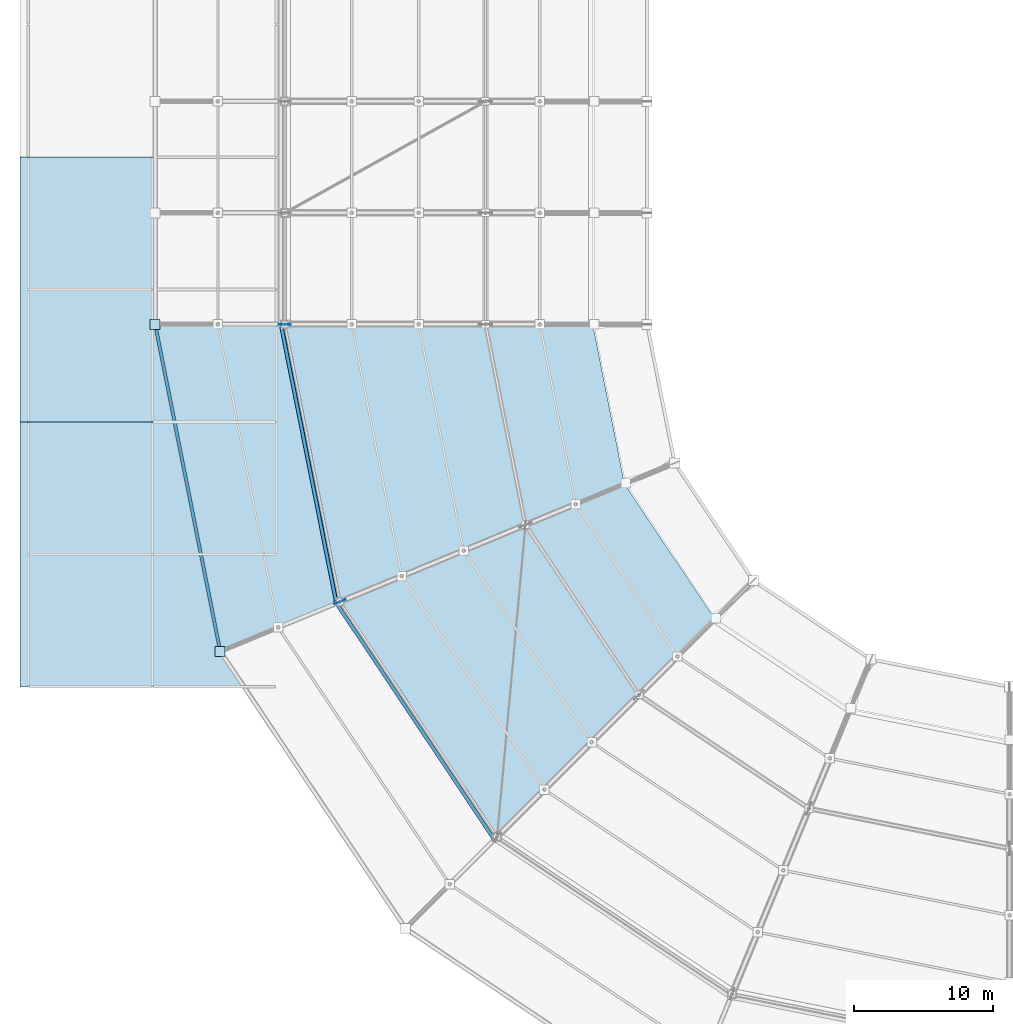
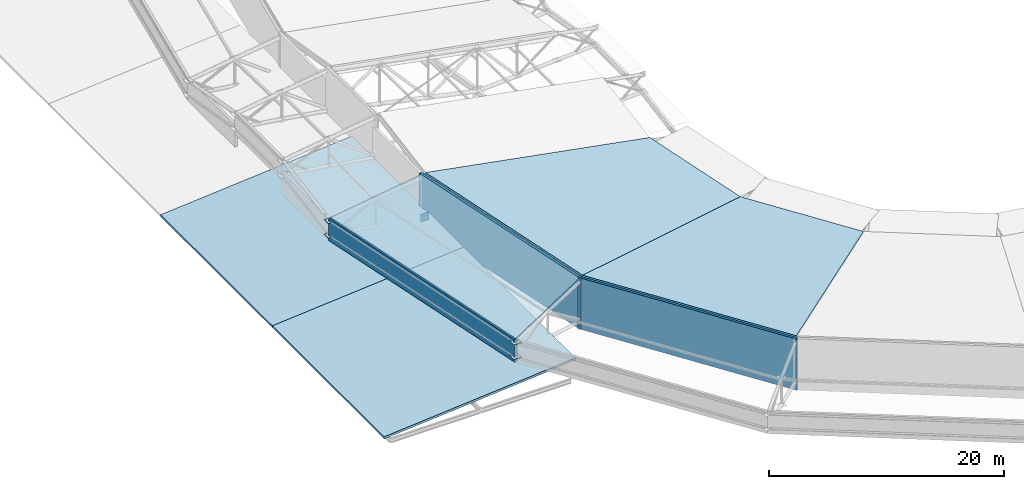
# One storey, part 104 of 146: 9 plates, 5 slabs.
"""IFC4 building model written with IfcOpenShell, lengths in metres."""

from ifc_helpers import new_model, si_unit, direction, frame, origin, origin_2d, place, context, subcontext, project, spatial, polyline, rectangle, outline, extrude, material, layer, layer_set, type_object, element, save


model = new_model("IFC4")

# Units and contexts
model_context = context("Model", 3, precision=1e-05, world=origin(), true_north=direction((0.0, 1.0)))
body_context = subcontext(model_context, "Body", "Model", "MODEL_VIEW")
ifc_project = project(units=[si_unit("LENGTHUNIT", "METRE"), si_unit("AREAUNIT", "SQUARE_METRE"), si_unit("VOLUMEUNIT", "CUBIC_METRE"), si_unit("PLANEANGLEUNIT", "RADIAN"), si_unit("MASSUNIT", "GRAM", prefix="KILO")], contexts=[model_context])

# Site, building, storey
site_placement = place(None, origin())
site = spatial("IfcSite", under=ifc_project, at=site_placement, CompositionType="ELEMENT")
building_placement = place(site_placement, origin())
building = spatial("IfcBuilding", under=site, at=building_placement, Name="Candeia Ridge Stadium", CompositionType="ELEMENT")
storey_placement = place(building_placement, frame((0.0, 0.0, 31.800048828125)))
storey = spatial("IfcBuildingStorey", under=building, at=storey_placement, Name="RF", CompositionType="ELEMENT", Elevation=31.800048828125)

# Plates
ifc_material_1 = material(Name="Aluminium Anodized Warm Bronze", Category="aluminium")
ifc_layer_1 = layer(ifc_material_1, 0.239990234375, Name="Aluminium Anodized Warm Bronze", Category="aluminium")
ifc_layer_set_1 = layer_set([ifc_layer_1], Name="Aluminium Anodized Warm Bronze")
plate_type_1 = type_object("IfcPlateType", Name="Crown Perforated Bronze Acoustic Screen", PredefinedType="SHEET", material=ifc_layer_set_1)
plate_1_placement = place(storey_placement, frame((20.709716796875, 60.99658203125, -0.3251953125), z_axis=(0.0, 0.0, 1.0), x_axis=(0.195090318644, -0.980785281074, 0.0)))
element("IfcPlate", 1, at=plate_1_placement, inside=storey, type_object=plate_type_1, Name="Crown perforated bronze acoustic screen RF bay 15", PredefinedType="SHEET", context=body_context, shape_type="SweptSolid", body=[
    extrude(rectangle(XDim=20.798583984375, YDim=0.239990234375, at=origin_2d()), origin(), (0.0, 0.0, 1.0), 5.330078125),
])
plate_2_placement = place(storey_placement, frame((12.033203125, 59.270751953125, 1.25), z_axis=(0.0, 0.0, 1.0), x_axis=(0.195090339048, -0.980785277015, 0.0)))
element("IfcPlate", 2, at=plate_2_placement, inside=storey, type_object=plate_type_1, Name="Saddle roof outer eaves warm-bronze fascia bay 15", PredefinedType="SHEET", context=body_context, shape_type="SweptSolid", body=[
    extrude(rectangle(XDim=23.97802734375, YDim=0.239990234375, at=origin_2d()), origin(), (0.0, 0.0, 1.0), 2.300048828125),
])
plate_3_placement = place(storey_placement, frame((28.365966796875, 42.512939453125, -0.3251953125), z_axis=(0.0, 0.0, 1.0), x_axis=(0.555570210802, -0.831469627148, 0.0)))
element("IfcPlate", 3, at=plate_3_placement, inside=storey, type_object=plate_type_1, Name="Crown perforated bronze acoustic screen RF bay 16", PredefinedType="SHEET", context=body_context, shape_type="SweptSolid", body=[
    extrude(rectangle(XDim=20.798583984375, YDim=0.239990234375, at=origin_2d()), origin(), (0.0, 0.0, 1.0), 5.330078125),
])
ifc_material_2 = material(Name="Steel ASTM A572 Grade 50", Category="steel")
ifc_layer_2 = layer(ifc_material_2, 0.02490234375, Name="Steel ASTM A572 Grade 50", Category="steel")
ifc_layer_set_2 = layer_set([ifc_layer_2], Name="Steel ASTM A572 Grade 50")
plate_type_2 = type_object("IfcPlateType", Name="Hollow Section End Closure Plate CP2", PredefinedType="SHEET", material=ifc_layer_set_2)
for number, where, z_axis, x_axis, name in (
    (4, (9.699951171875, 71.0, 3.2685546875), (0.0, 0.0, 1.0), (1.0, 0.0, 0.0), "Hollow section end closure plate TCAP-EAVE-14"),
    (5, (9.699951171875, 71.0, 1.7685546875), (0.0, 0.0, 1.0), (1.0, 0.0, 0.0), "Hollow section end closure plate BCAP-EAVE-14"),
    (6, (14.3662109375, 47.54150390625, 3.2685546875), (0.0, 0.0, 1.0), (1.0, 0.0, 0.0), "Hollow section end closure plate TCAP-EAVE-15"),
    (7, (14.3662109375, 47.54150390625, 1.7685546875), (0.0, 0.0, 1.0), (1.0, 0.0, 0.0), "Hollow section end closure plate BCAP-EAVE-15"),
):
    element("IfcPlate", number, at=place(storey_placement, frame(where, z_axis=z_axis, x_axis=x_axis)), inside=storey, type_object=plate_type_2, Name=name, PredefinedType="SHEET", context=body_context, shape_type="SweptSolid", body=[
        extrude(rectangle(XDim=0.719970703125, YDim=0.719970703125, at=origin_2d()), origin(), (0.0, 0.0, 1.0), 0.02490234375),
    ])
ifc_layer_3 = layer(ifc_material_2, 0.028076171875, Name="Steel ASTM A572 Grade 50", Category="steel")
ifc_layer_set_3 = layer_set([ifc_layer_3], Name="Steel ASTM A572 Grade 50")
plate_type_3 = type_object("IfcPlateType", Name="Roof Truss Outer Tie Node Gusset ND-2", PredefinedType="USERDEFINED", material=ifc_layer_set_3)
for number, where, z_axis, x_axis, name in (
    (8, (19.0, 71.0, -0.025146484375), (0.0, 0.0, 1.0), (-1.0, 0.0, 0.0), "Roof truss outer support node ND-2 bay 15"),
    (9, (22.958251953125, 51.100341796875, -0.025146484375), (0.0, 0.0, 1.0), (-0.923879532077, -0.382683433413, 0.0), "Roof truss outer support node ND-2 bay 16"),
):
    element("IfcPlate", number, at=place(storey_placement, frame(where, z_axis=z_axis, x_axis=x_axis)), inside=storey, type_object=plate_type_3, Name=name, ObjectType="GUSSET PLATE", PredefinedType="USERDEFINED", context=body_context, shape_type="SweptSolid", body=[
        extrude(rectangle(XDim=0.85009765625, YDim=0.028076171875, at=origin_2d()), origin(), (0.0, 0.0, 1.0), 0.85009765625),
    ])

# Slabs
ifc_layer_4 = layer(ifc_material_2, 0.1650390625, Name="Steel ASTM A572 Grade 50", Category="steel")
ifc_layer_set_4 = layer_set([ifc_layer_4], Name="Steel ASTM A572 Grade 50")
slab_type_1 = type_object("IfcSlabType", Name="Saddle Eaves Roof Deck 165", PredefinedType="ROOF", material=ifc_layer_set_4)
slab_1_placement = place(storey_placement, frame((18.919921875, 71.0, 4.988037109375), z_axis=(-0.148820532569, -0.029601315607, 0.988421069788), x_axis=(0.195081003438, -0.980787133937, -5.36886e-07)))
element("IfcSlab", 10, at=slab_1_placement, inside=storey, type_object=slab_type_1, Name="Stadium saddle roof eave deck bay 15", PredefinedType="ROOF", context=body_context, shape_type="SweptSolid", body=[
    extrude(outline(polyline([(0.0, 0.0), (20.320343349009452, 0.0), (22.118922869347795, -9.148603290923226), (-1.7986403911399411, -9.148759817575172), (0.0, 0.0)])), origin(), (0.0, 0.0, -1.0), 0.1650390625),
])
ifc_layer_5 = layer(ifc_material_2, 0.179931640625, Name="Steel ASTM A572 Grade 50", Category="steel")
ifc_layer_set_5 = layer_set([ifc_layer_5], Name="Steel ASTM A572 Grade 50")
slab_type_2 = type_object("IfcSlabType", Name="Saddle Roof Structural Deck 180", PredefinedType="ROOF", material=ifc_layer_set_5)
slab_2_placement = place(storey_placement, frame((41.10009765625, 71.0, 0.911865234375), z_axis=(0.181763338981, 0.036153116313, 0.98267748564), x_axis=(0.19508557751, -0.980786224132, -9.43866e-07)))
element("IfcSlab", 11, at=slab_2_placement, inside=storey, type_object=slab_type_2, Name="Stadium saddle roof main deck bay 15", PredefinedType="ROOF", context=body_context, shape_type="SweptSolid", body=[
    extrude(outline(polyline([(0.0, 0.0), (11.666043684987503, -4.440892098500626e-16), (15.96230742120128, -21.977804497045955), (-4.295792071394437, -21.977641905484266), (0.0, 0.0)])), origin(), (0.0, 0.0, -1.0), 0.179931640625),
])
slab_3_placement = place(storey_placement, frame((43.3759765625, 59.55810546875, 0.911865234375), z_axis=(0.154087355623, 0.102962524473, 0.982677874683), x_axis=(0.555597739994, -0.831451232069, -2.308707e-06)))
element("IfcSlab", 12, at=slab_3_placement, inside=storey, type_object=slab_type_2, Name="Stadium saddle roof main deck bay 16", PredefinedType="ROOF", context=body_context, shape_type="SweptSolid", body=[
    extrude(outline(polyline([(0.0, 0.0), (11.666586999361916, 0.0), (15.96183736590626, -21.978166695986), (-4.296445413772824, -21.97776898157144), (0.0, 0.0)])), origin(), (0.0, 0.0, -1.0), 0.179931640625),
])
ifc_material_3 = material(Name="Concrete C40/50", Category="concrete")
ifc_layer_6 = layer(ifc_material_3, 0.22998046875, Name="Concrete C40/50", Category="concrete")
ifc_layer_set_6 = layer_set([ifc_layer_6], Name="Concrete C40/50")
slab_type_3 = type_object("IfcSlabType", Name="West Pavilion Sloped Roof 230", PredefinedType="ROOF", material=ifc_layer_set_6)
for number, where, z_axis, x_axis, name in (
    (13, (0.0, 45.0, 0.0), (-0.084791903923, 0.0, 0.996398681768), (0.996398681768, 0.0, 0.084791903923), "West pavilion sloped roof slab SLB-RF-WR-01"),
    (14, (0.0, 64.0, 0.0), (-0.084791903923, 0.0, 0.996398681768), (0.996398681768, 0.0, 0.084791903923), "West pavilion sloped roof slab SLB-RF-WR-02"),
):
    element("IfcSlab", number, at=place(storey_placement, frame(where, z_axis=z_axis, x_axis=x_axis)), inside=storey, type_object=slab_type_3, Name=name, PredefinedType="ROOF", context=body_context, shape_type="SweptSolid", body=[
        extrude(outline(polyline([(0.0, 0.0), (18.86799849510652, 0.0), (18.86799849510652, 19.0), (0.0, 19.0), (0.0, 0.0)])), origin(), (0.0, 0.0, -1.0), 0.22998046875),
    ])

save(model, "model.ifc")
